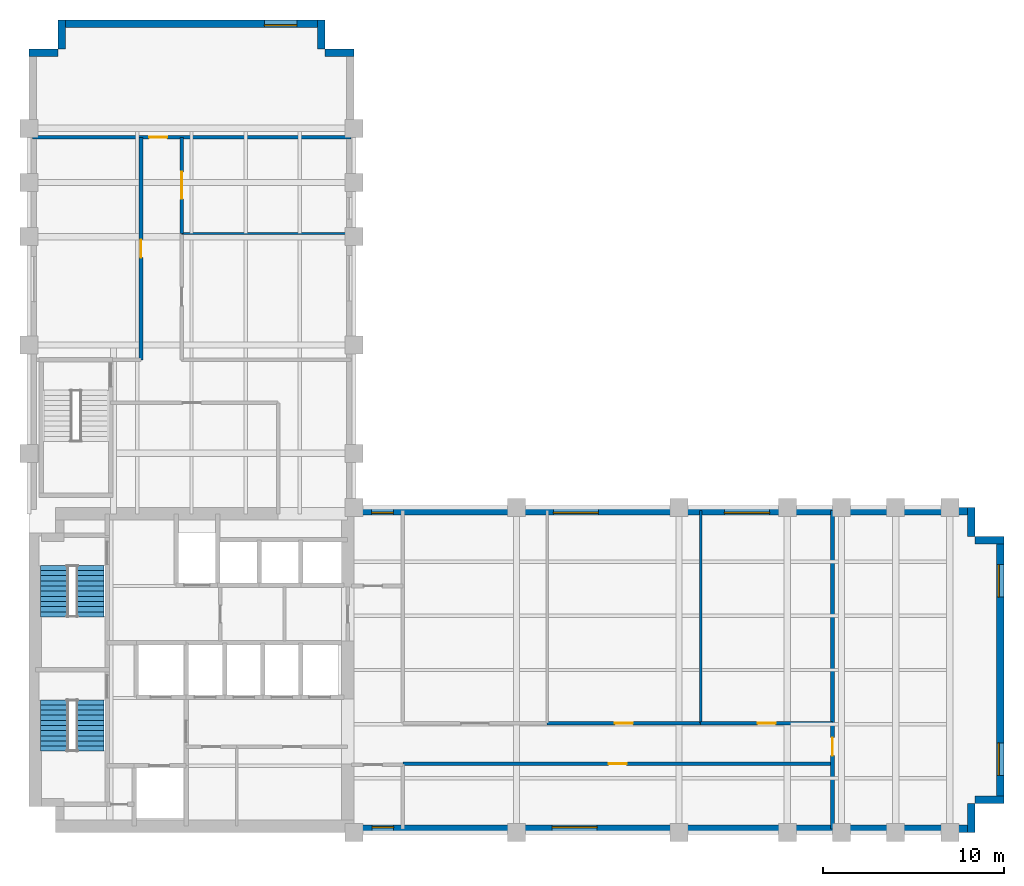
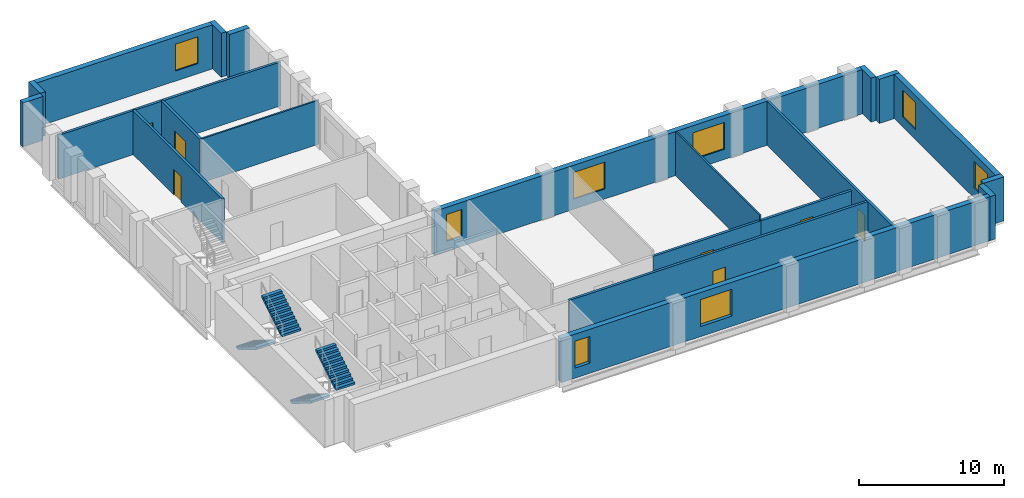
# One storey, part 5 of 7: 21 walls, 8 windows, 7 doors, 4 stair flights, 15 openings, 2 elements without a shape of their own.
"""IFC4 building model written with IfcOpenShell, lengths in metres."""

import ifcopenshell
import ifcopenshell.guid

model = None  # the IFC model being written
_history = None  # IfcOwnerHistory: only IFC2X3 demands one
_inside = {}  # id of a spatial element -> (the spatial element, [elements in it])
_under = {}  # id of a project, library or spatial element -> (it, [spatial elements below it])
_declared = {}  # id of a project -> (the project, [libraries it declares])
_typed = {}  # id of a type object -> (the type object, [elements of that type])
_made_of = {}  # id of a material, layer set ... -> (it, [elements and type objects made of it])


def new_model(schema):
    """Start an empty IFC model of exactly this schema.

    Asked for "IFC4X3", IfcOpenShell would pick the latest addendum, in which some entities
    have other attributes; the version numbers below select the first issue.
    IFC2X3 requires an IfcOwnerHistory on every rooted entity: one is made here for all.
    """
    global model, _history
    if schema == "IFC4X3":
        model = ifcopenshell.file(schema_version=(4, 3, 0, 0))
    else:
        model = ifcopenshell.file(schema=schema)
    _inside.clear()
    _under.clear()
    _declared.clear()
    _typed.clear()
    _made_of.clear()
    _history = None
    if model.schema == "IFC2X3":
        org = make("IfcOrganization", Name="unknown")
        user = make(
            "IfcPersonAndOrganization",
            ThePerson=make("IfcPerson", FamilyName="unknown"),
            TheOrganization=org,
        )
        app = make(
            "IfcApplication",
            ApplicationDeveloper=org,
            Version="unknown",
            ApplicationFullName="unknown",
            ApplicationIdentifier="unknown",
        )
        _history = make(
            "IfcOwnerHistory",
            OwningUser=user,
            OwningApplication=app,
            ChangeAction="ADDED",
            CreationDate=0,
        )
    return model


def make(cls, **values):
    """One entity of the class cls with the attributes given. An attribute that is None is left unset."""
    return model.create_entity(
        cls, **{name: value for name, value in values.items() if value is not None}
    )


def rooted(cls, **values):
    """An entity with a GlobalId (a new one), such as an element, a storey or a relation."""
    return make(cls, GlobalId=ifcopenshell.guid.new(), OwnerHistory=_history, **values)


def si_unit(unit_type, name, prefix=None):
    """IfcSIUnit, for example si_unit("LENGTHUNIT", "METRE", prefix="MILLI")."""
    return make("IfcSIUnit", UnitType=unit_type, Prefix=prefix, Name=name)


def assignment(units):
    """IfcUnitAssignment: the units of a project."""
    return None if units is None else make("IfcUnitAssignment", Units=units)


def point(xyz):
    """IfcCartesianPoint."""
    return None if xyz is None else make("IfcCartesianPoint", Coordinates=xyz)


def direction(xyz):
    """IfcDirection."""
    return None if xyz is None else make("IfcDirection", DirectionRatios=xyz)


def frame(location, z_axis=None, x_axis=None):
    """IfcAxis2Placement3D, a coordinate frame: its origin and axes. An axis left out is left unset."""
    return make(
        "IfcAxis2Placement3D",
        Location=point(location),
        Axis=direction(z_axis),
        RefDirection=direction(x_axis),
    )


def frame_2d(location, x_axis=None):
    """IfcAxis2Placement2D, a coordinate frame in the plane: its origin and x axis."""
    return make(
        "IfcAxis2Placement2D", Location=point(location), RefDirection=direction(x_axis)
    )


def origin():
    """The frame at (0, 0, 0) with its axes left unset."""
    return frame((0.0, 0.0, 0.0))


def place(relative_to, where):
    """IfcLocalPlacement: puts the frame where relative to a parent placement (None: the world)."""
    return make(
        "IfcLocalPlacement", PlacementRelTo=relative_to, RelativePlacement=where
    )


def context(
    kind, dimensions, precision=None, world=None, true_north=None, identifier=None
):
    """IfcGeometricRepresentationContext, for example the 3D "Model" context."""
    return make(
        "IfcGeometricRepresentationContext",
        ContextIdentifier=identifier,
        ContextType=kind,
        CoordinateSpaceDimension=dimensions,
        Precision=precision,
        WorldCoordinateSystem=world,
        TrueNorth=true_north,
    )


def subcontext(parent, identifier, kind, view, scale=None):
    """IfcGeometricRepresentationSubContext, for example "Body" below "Model"."""
    return make(
        "IfcGeometricRepresentationSubContext",
        ContextIdentifier=identifier,
        ContextType=kind,
        ParentContext=parent,
        TargetScale=scale,
        TargetView=view,
    )


def project(units=None, contexts=None):
    """IfcProject with its units and contexts."""
    return rooted(
        "IfcProject",
        Name="project",
        RepresentationContexts=contexts,
        UnitsInContext=assignment(units),
    )


def spatial(cls, under=None, at=None, **own):
    """A site, building, storey or space (cls), placed at a placement, below another one or the project."""
    s = rooted(cls, ObjectPlacement=at, **own)
    if under is not None:
        _under.setdefault(under.id(), (under, []))[1].append(s)
    return s


def polyline(points):
    """IfcPolyline through the points."""
    return make("IfcPolyline", Points=[point(p) for p in points])


def profile(cls, at=None, kind="AREA", **sizes):
    """A parametric profile (cls). Its sizes go by their IFC names, for example OverallWidth=200.0."""
    return make(cls, ProfileType=kind, Position=at, **sizes)


def rectangle(**sizes):
    """IfcRectangleProfileDef."""
    return profile("IfcRectangleProfileDef", **sizes)


def outline(outer, holes=None, kind="AREA"):
    """IfcArbitraryClosedProfileDef: a profile drawn as a closed curve; with holes, ...WithVoids."""
    if holes is None:
        return make("IfcArbitraryClosedProfileDef", ProfileType=kind, OuterCurve=outer)
    return make(
        "IfcArbitraryProfileDefWithVoids",
        ProfileType=kind,
        OuterCurve=outer,
        InnerCurves=holes,
    )


def extrude(swept, where, along, depth):
    """IfcExtrudedAreaSolid: the profile swept, set in the frame where, extruded along a direction by depth."""
    return make(
        "IfcExtrudedAreaSolid",
        SweptArea=swept,
        Position=where,
        ExtrudedDirection=direction(along),
        Depth=depth,
    )


def shape(context_of_items, identifier, shape_type, items):
    """IfcShapeRepresentation: the items that make up one representation, for example the "Body"."""
    return make(
        "IfcShapeRepresentation",
        ContextOfItems=context_of_items,
        RepresentationIdentifier=identifier,
        RepresentationType=shape_type,
        Items=items,
    )


def material(Name=None, Category=None):
    """IfcMaterial."""
    return make("IfcMaterial", Name=Name, Category=Category)


def layer(
    of_material, thickness, ventilated=None, Name=None, Category=None, Priority=None
):
    """IfcMaterialLayer: one layer of a wall or slab, of a material (None: an air gap)."""
    return make(
        "IfcMaterialLayer",
        Material=of_material,
        LayerThickness=thickness,
        IsVentilated=ventilated,
        Name=Name,
        Category=Category,
        Priority=Priority,
    )


def layer_set(layers, Name=None):
    """IfcMaterialLayerSet."""
    return make("IfcMaterialLayerSet", MaterialLayers=layers, LayerSetName=Name)


def made_of(thing, what):
    """Note that an element or type object is made of a material, layer set ...; save() writes the relation."""
    if what is not None:
        _made_of.setdefault(what.id(), (what, []))[1].append(thing)
    return thing


def type_object(cls, material=None, **own):
    """A type object (cls), such as IfcWallType, which elements share."""
    return made_of(rooted(cls, **own), material)


def element(
    cls,
    number,
    at=None,
    inside=None,
    cuts=None,
    type_object=None,
    material=None,
    context=None,
    identifier="Body",
    shape_type=None,
    held_by="IfcProductDefinitionShape",
    body=None,
    shapes=None,
    **own,
):
    """One element of the class cls, such as IfcWall. Its Tag is "e" and its number.

    at: its placement. inside: the storey or other place that contains it. cuts: it is an
    opening in that element (IfcRelVoidsElement). A single representation is given by context,
    identifier, shape_type and body (its items); several are given by shapes. held_by: the class
    of the entity that holds the representations. save() writes the other relations.
    """
    e = rooted(cls, Tag="e%d" % number, ObjectPlacement=at, **own)
    if body is not None:
        shapes = [shape(context, identifier, shape_type, body)]
    if shapes is not None:
        e.Representation = make(held_by, Representations=shapes)
    if inside is not None:
        _inside.setdefault(inside.id(), (inside, []))[1].append(e)
    if cuts is not None:
        rooted(
            "IfcRelVoidsElement", RelatingBuildingElement=cuts, RelatedOpeningElement=e
        )
    if type_object is not None:
        _typed.setdefault(type_object.id(), (type_object, []))[1].append(e)
    return made_of(e, material)


def fill(opening, filler):
    """IfcRelFillsElement: the door or window that sits in an opening."""
    return rooted(
        "IfcRelFillsElement",
        RelatingOpeningElement=opening,
        RelatedBuildingElement=filler,
    )


def aggregate(whole, parts):
    """IfcRelAggregates: a whole, such as a stair, and the parts it consists of."""
    return rooted("IfcRelAggregates", RelatingObject=whole, RelatedObjects=parts)


def save(model, path):
    """Write the relations noted so far, then the file.

    IfcRelAggregates (storeys below a building ...), IfcRelContainedInSpatialStructure (elements
    in a storey), IfcRelDefinesByType, IfcRelAssociatesMaterial and IfcRelDeclares: one each for
    every whole, place, type object, material and project.
    """
    for whole, parts in _under.values():
        aggregate(whole, parts)
    for where, things in _inside.values():
        rooted(
            "IfcRelContainedInSpatialStructure",
            RelatedElements=things,
            RelatingStructure=where,
        )
    for kind, things in _typed.values():
        rooted("IfcRelDefinesByType", RelatedObjects=things, RelatingType=kind)
    for what, things in _made_of.values():
        rooted("IfcRelAssociatesMaterial", RelatedObjects=things, RelatingMaterial=what)
    for by, libraries in _declared.values():
        rooted("IfcRelDeclares", RelatingContext=by, RelatedDefinitions=libraries)
    model.write(path)


model = new_model("IFC4")

# Units and contexts
model_context = context("Model", 3, precision=1e-05, world=origin(), true_north=direction((0.0, 1.0)))
body_context = subcontext(model_context, "Body", "Model", "MODEL_VIEW")
ifc_project = project(units=[si_unit("LENGTHUNIT", "METRE"), si_unit("AREAUNIT", "SQUARE_METRE"), si_unit("VOLUMEUNIT", "CUBIC_METRE"), si_unit("PLANEANGLEUNIT", "RADIAN"), si_unit("MASSUNIT", "GRAM", prefix="KILO")], contexts=[model_context])

# Site, building, storey
site_placement = place(None, origin())
site = spatial("IfcSite", under=ifc_project, at=site_placement, CompositionType="ELEMENT")
building_placement = place(site_placement, origin())
building = spatial("IfcBuilding", under=site, at=building_placement, Name="Mawjdan Bourse Tower", CompositionType="ELEMENT")
storey_placement = place(building_placement, frame((0.0, 0.0, 147.89990234375)))
storey = spatial("IfcBuildingStorey", under=building, at=storey_placement, Name="L35", CompositionType="ELEMENT", Elevation=147.89990234375)

# Wall, openings, windows
ifc_material_1 = material(Name="Brick Masonry Buff", Category="masonry")
ifc_layer_1 = layer(ifc_material_1, 0.419921875)
ifc_layer_set_1 = layer_set([ifc_layer_1], Name="Brick Masonry Buff")
wall_type_1 = type_object("IfcWallType", Name="WL-BRK-BUFF-420", PredefinedType="STANDARD", material=ifc_layer_set_1)
wall_1_placement = place(storey_placement, frame((23.89990234375, 3.2099609375, 0.0), z_axis=(0.0, 0.0, 1.0), x_axis=(1.0, 0.0, 0.0)))
wall_1 = element("IfcWall", 1, at=wall_1_placement, inside=storey, type_object=wall_type_1, Name="L35 Exterior Brick Wall 1", PredefinedType="STANDARD", context=body_context, shape_type="SweptSolid", body=[
    extrude(rectangle(XDim=34.5, YDim=0.419921875, at=frame_2d((17.25, 0.0))), origin(), (0.0, 0.0, 1.0), 3.7001953125),
])
opening_1_placement = place(wall_1_placement, frame((11.0712890625, 0.0, 0.85009765625)))
opening_1 = element("IfcOpeningElement", 2, at=opening_1_placement, cuts=wall_1, Name="Opening W-L35-01", PredefinedType="OPENING", context=body_context, shape_type="SweptSolid", body=[
    extrude(rectangle(XDim=2.5, YDim=2.25, at=frame_2d((1.25, 1.125))), frame((0.0, 0.219970703125, 0.0), z_axis=(0.0, -1.0, 0.0), x_axis=(1.0, 0.0, 0.0)), (0.0, 0.0, 1.0), 0.43994140625),
])
opening_2_placement = place(wall_1_placement, frame((1.10009765625, 0.0, 0.85009765625)))
opening_2 = element("IfcOpeningElement", 3, at=opening_2_placement, cuts=wall_1, Name="Opening W-L35-08", PredefinedType="OPENING", context=body_context, shape_type="SweptSolid", body=[
    extrude(rectangle(XDim=1.199951171875, YDim=2.25, at=frame_2d((0.60009765625, 1.125))), frame((0.0, 0.219970703125, 0.0), z_axis=(0.0, -1.0, 0.0), x_axis=(1.0, 0.0, 0.0)), (0.0, 0.0, 1.0), 0.43994140625),
])
ifc_material_2 = material(Name="Solar-Control Clear Double Glazing", Category="glass")
window_type_1 = type_object("IfcWindowType", Name="WN-Z2-1200", PartitioningType="SINGLE_PANEL", PredefinedType="WINDOW", material=ifc_material_2)
window_1_placement = place(opening_2_placement, origin())
window_1 = element("IfcWindow", 4, at=window_1_placement, inside=storey, type_object=window_type_1, Name="L35 Deep-Set Masonry Window W-L35-08", OverallHeight=2.25, OverallWidth=1.199951171875, PartitioningType="SINGLE_PANEL", PredefinedType="WINDOW", context=body_context, shape_type="SweptSolid", body=[
    extrude(rectangle(XDim=1.199951171875, YDim=2.25, at=frame_2d((0.60009765625, 1.125))), frame((0.0, 0.110107421875, 0.0), z_axis=(0.0, -1.0, 0.0), x_axis=(1.0, 0.0, 0.0)), (0.0, 0.0, 1.0), 0.06005859375),
])
fill(opening_2, window_1)
window_type_2 = type_object("IfcWindowType", Name="WN-Z2-2500", PartitioningType="SINGLE_PANEL", PredefinedType="WINDOW", material=ifc_material_2)
window_2_placement = place(opening_1_placement, origin())
window_2 = element("IfcWindow", 5, at=window_2_placement, inside=storey, type_object=window_type_2, Name="L35 Deep-Set Masonry Window W-L35-01", OverallHeight=2.25, OverallWidth=2.5, PartitioningType="SINGLE_PANEL", PredefinedType="WINDOW", context=body_context, shape_type="SweptSolid", body=[
    extrude(rectangle(XDim=2.5, YDim=2.25, at=frame_2d((1.25, 1.125))), frame((0.0, 0.110107421875, 0.0), z_axis=(0.0, -1.0, 0.0), x_axis=(1.0, 0.0, 0.0)), (0.0, 0.0, 1.0), 0.06005859375),
])
fill(opening_1, window_2)

# Walls
for number, where, z_axis, x_axis, name in (
    (6, (58.18994140625, 3.0, 0.0), (0.0, 0.0, 1.0), (0.0, 1.0, 0.0), "L35 Exterior Brick Wall 2"),
    (7, (58.39990234375, 4.81005859375, 0.0), (0.0, 0.0, 1.0), (1.0, 0.0, 0.0), "L35 Exterior Brick Wall 3"),
):
    element("IfcWall", number, at=place(storey_placement, frame(where, z_axis=z_axis, x_axis=x_axis)), inside=storey, type_object=wall_type_1, Name=name, PredefinedType="STANDARD", context=body_context, shape_type="SweptSolid", body=[
        extrude(rectangle(XDim=1.60009765625, YDim=0.419921875, at=frame_2d((0.800048828125, 0.0))), origin(), (0.0, 0.0, 1.0), 3.7001953125),
    ])

# Wall, openings, windows
wall_2_placement = place(storey_placement, frame((59.7900390625, 4.60009765625, 0.0), z_axis=(0.0, 0.0, 1.0), x_axis=(0.0, 1.0, 0.0)))
wall_2 = element("IfcWall", 8, at=wall_2_placement, inside=storey, type_object=wall_type_1, Name="L35 Exterior Brick Wall 4", PredefinedType="STANDARD", context=body_context, shape_type="SweptSolid", body=[
    extrude(rectangle(XDim=14.7998046875, YDim=0.419921875, at=frame_2d((7.39990234375, 0.0))), origin(), (0.0, 0.0, 1.0), 3.7001953125),
])
opening_3_placement = place(wall_2_placement, frame((1.566650390625, 0.0, 0.85009765625)))
opening_3 = element("IfcOpeningElement", 9, at=opening_3_placement, cuts=wall_2, Name="Opening W-L35-02", PredefinedType="OPENING", context=body_context, shape_type="SweptSolid", body=[
    extrude(rectangle(XDim=1.800048828125, YDim=2.25, at=frame_2d((0.89990234375, 1.125))), frame((0.0, 0.219970703125, 0.0), z_axis=(0.0, -1.0, 0.0), x_axis=(1.0, 0.0, 0.0)), (0.0, 0.0, 1.0), 0.43994140625),
])
opening_4_placement = place(wall_2_placement, frame((11.433349609375, 0.0, 0.85009765625)))
opening_4 = element("IfcOpeningElement", 10, at=opening_4_placement, cuts=wall_2, Name="Opening W-L35-03", PredefinedType="OPENING", context=body_context, shape_type="SweptSolid", body=[
    extrude(rectangle(XDim=1.800048828125, YDim=2.25, at=frame_2d((0.89990234375, 1.125))), frame((0.0, 0.219970703125, 0.0), z_axis=(0.0, -1.0, 0.0), x_axis=(1.0, 0.0, 0.0)), (0.0, 0.0, 1.0), 0.43994140625),
])
window_type_3 = type_object("IfcWindowType", Name="WN-Z2-1800", PartitioningType="SINGLE_PANEL", PredefinedType="WINDOW", material=ifc_material_2)
window_3_placement = place(opening_3_placement, origin())
window_3 = element("IfcWindow", 11, at=window_3_placement, inside=storey, type_object=window_type_3, Name="L35 Deep-Set Masonry Window W-L35-02", OverallHeight=2.25, OverallWidth=1.800048828125, PartitioningType="SINGLE_PANEL", PredefinedType="WINDOW", context=body_context, shape_type="SweptSolid", body=[
    extrude(rectangle(XDim=1.800048828125, YDim=2.25, at=frame_2d((0.89990234375, 1.125))), frame((0.0, 0.110107421875, 0.0), z_axis=(0.0, -1.0, 0.0), x_axis=(1.0, 0.0, 0.0)), (0.0, 0.0, 1.0), 0.06005859375),
])
fill(opening_3, window_3)
window_4_placement = place(opening_4_placement, origin())
window_4 = element("IfcWindow", 12, at=window_4_placement, inside=storey, type_object=window_type_3, Name="L35 Deep-Set Masonry Window W-L35-03", OverallHeight=2.25, OverallWidth=1.800048828125, PartitioningType="SINGLE_PANEL", PredefinedType="WINDOW", context=body_context, shape_type="SweptSolid", body=[
    extrude(rectangle(XDim=1.800048828125, YDim=2.25, at=frame_2d((0.89990234375, 1.125))), frame((0.0, 0.110107421875, 0.0), z_axis=(0.0, -1.0, 0.0), x_axis=(1.0, 0.0, 0.0)), (0.0, 0.0, 1.0), 0.06005859375),
])
fill(opening_4, window_4)

# Walls
for number, where, z_axis, x_axis, name in (
    (13, (60.0, 19.18994140625, 0.0), (0.0, 0.0, 1.0), (-1.0, 0.0, 0.0), "L35 Exterior Brick Wall 5"),
    (14, (58.18994140625, 19.39990234375, 0.0), (0.0, 0.0, 1.0), (0.0, 1.0, 0.0), "L35 Exterior Brick Wall 6"),
):
    element("IfcWall", number, at=place(storey_placement, frame(where, z_axis=z_axis, x_axis=x_axis)), inside=storey, type_object=wall_type_1, Name=name, PredefinedType="STANDARD", context=body_context, shape_type="SweptSolid", body=[
        extrude(rectangle(XDim=1.60009765625, YDim=0.419921875, at=frame_2d((0.800048828125, 0.0))), origin(), (0.0, 0.0, 1.0), 3.7001953125),
    ])

# Wall, openings, windows
wall_3_placement = place(storey_placement, frame((58.39990234375, 20.7900390625, 0.0), z_axis=(0.0, 0.0, 1.0), x_axis=(-1.0, 0.0, 0.0)))
wall_3 = element("IfcWall", 15, at=wall_3_placement, inside=storey, type_object=wall_type_1, Name="L35 Exterior Brick Wall 7", PredefinedType="STANDARD", context=body_context, shape_type="SweptSolid", body=[
    extrude(rectangle(XDim=34.39990234375, YDim=0.419921875, at=frame_2d((17.199951171875, 0.0))), origin(), (0.0, 0.0, 1.0), 3.7001953125),
])
opening_5_placement = place(wall_3_placement, frame((20.8642578125, 0.0, 0.85009765625)))
opening_5 = element("IfcOpeningElement", 16, at=opening_5_placement, cuts=wall_3, Name="Opening W-L35-04", PredefinedType="OPENING", context=body_context, shape_type="SweptSolid", body=[
    extrude(rectangle(XDim=2.5, YDim=2.25, at=frame_2d((1.25, 1.125))), frame((0.0, 0.219970703125, 0.0), z_axis=(0.0, -1.0, 0.0), x_axis=(1.0, 0.0, 0.0)), (0.0, 0.0, 1.0), 0.43994140625),
])
opening_6_placement = place(wall_3_placement, frame((32.22216796875, 0.0, 0.85009765625)))
opening_6 = element("IfcOpeningElement", 17, at=opening_6_placement, cuts=wall_3, Name="Opening W-L35-09", PredefinedType="OPENING", context=body_context, shape_type="SweptSolid", body=[
    extrude(rectangle(XDim=1.199951171875, YDim=2.25, at=frame_2d((0.60009765625, 1.125))), frame((0.0, 0.219970703125, 0.0), z_axis=(0.0, -1.0, 0.0), x_axis=(1.0, 0.0, 0.0)), (0.0, 0.0, 1.0), 0.43994140625),
])
opening_7_placement = place(wall_3_placement, frame((11.38623046875, 0.0, 0.85009765625)))
opening_7 = element("IfcOpeningElement", 18, at=opening_7_placement, cuts=wall_3, Name="Opening W-L35-10", PredefinedType="OPENING", context=body_context, shape_type="SweptSolid", body=[
    extrude(rectangle(XDim=2.5, YDim=2.25, at=frame_2d((1.25, 1.125))), frame((0.0, 0.219970703125, 0.0), z_axis=(0.0, -1.0, 0.0), x_axis=(1.0, 0.0, 0.0)), (0.0, 0.0, 1.0), 0.43994140625),
])
window_5_placement = place(opening_6_placement, origin())
window_5 = element("IfcWindow", 19, at=window_5_placement, inside=storey, type_object=window_type_1, Name="L35 Deep-Set Masonry Window W-L35-09", OverallHeight=2.25, OverallWidth=1.199951171875, PartitioningType="SINGLE_PANEL", PredefinedType="WINDOW", context=body_context, shape_type="SweptSolid", body=[
    extrude(rectangle(XDim=1.199951171875, YDim=2.25, at=frame_2d((0.60009765625, 1.125))), frame((0.0, 0.110107421875, 0.0), z_axis=(0.0, -1.0, 0.0), x_axis=(1.0, 0.0, 0.0)), (0.0, 0.0, 1.0), 0.06005859375),
])
fill(opening_6, window_5)
window_6_placement = place(opening_5_placement, origin())
window_6 = element("IfcWindow", 20, at=window_6_placement, inside=storey, type_object=window_type_2, Name="L35 Deep-Set Masonry Window W-L35-04", OverallHeight=2.25, OverallWidth=2.5, PartitioningType="SINGLE_PANEL", PredefinedType="WINDOW", context=body_context, shape_type="SweptSolid", body=[
    extrude(rectangle(XDim=2.5, YDim=2.25, at=frame_2d((1.25, 1.125))), frame((0.0, 0.110107421875, 0.0), z_axis=(0.0, -1.0, 0.0), x_axis=(1.0, 0.0, 0.0)), (0.0, 0.0, 1.0), 0.06005859375),
])
fill(opening_5, window_6)
window_7_placement = place(opening_7_placement, origin())
window_7 = element("IfcWindow", 21, at=window_7_placement, inside=storey, type_object=window_type_2, Name="L35 Deep-Set Masonry Window W-L35-10", OverallHeight=2.25, OverallWidth=2.5, PartitioningType="SINGLE_PANEL", PredefinedType="WINDOW", context=body_context, shape_type="SweptSolid", body=[
    extrude(rectangle(XDim=2.5, YDim=2.25, at=frame_2d((1.25, 1.125))), frame((0.0, 0.110107421875, 0.0), z_axis=(0.0, -1.0, 0.0), x_axis=(1.0, 0.0, 0.0)), (0.0, 0.0, 1.0), 0.06005859375),
])
fill(opening_7, window_7)

# Walls
for number, where, z_axis, x_axis, name in (
    (22, (24.0, 46.18994140625, 0.0), (0.0, 0.0, 1.0), (-1.0, 0.0, 0.0), "L35 Exterior Brick Wall 9"),
    (23, (22.18994140625, 46.39990234375, 0.0), (0.0, 0.0, 1.0), (0.0, 1.0, 0.0), "L35 Exterior Brick Wall 10"),
):
    element("IfcWall", number, at=place(storey_placement, frame(where, z_axis=z_axis, x_axis=x_axis)), inside=storey, type_object=wall_type_1, Name=name, PredefinedType="STANDARD", context=body_context, shape_type="SweptSolid", body=[
        extrude(rectangle(XDim=1.60009765625, YDim=0.419921875, at=frame_2d((0.800048828125, 0.0))), origin(), (0.0, 0.0, 1.0), 3.7001953125),
    ])

# Wall, opening, window
wall_4_placement = place(storey_placement, frame((22.39990234375, 47.7900390625, 0.0), z_axis=(0.0, 0.0, 1.0), x_axis=(-1.0, 0.0, 0.0)))
wall_4 = element("IfcWall", 24, at=wall_4_placement, inside=storey, type_object=wall_type_1, Name="L35 Exterior Brick Wall 11", PredefinedType="STANDARD", context=body_context, shape_type="SweptSolid", body=[
    extrude(rectangle(XDim=14.7998046875, YDim=0.419921875, at=frame_2d((7.39990234375, 0.0))), origin(), (0.0, 0.0, 1.0), 3.7001953125),
])
opening_8_placement = place(wall_4_placement, frame((1.566650390625, 0.0, 0.85009765625)))
opening_8 = element("IfcOpeningElement", 25, at=opening_8_placement, cuts=wall_4, Name="Opening W-L35-06", PredefinedType="OPENING", context=body_context, shape_type="SweptSolid", body=[
    extrude(rectangle(XDim=1.800048828125, YDim=2.25, at=frame_2d((0.89990234375, 1.125))), frame((0.0, 0.219970703125, 0.0), z_axis=(0.0, -1.0, 0.0), x_axis=(1.0, 0.0, 0.0)), (0.0, 0.0, 1.0), 0.43994140625),
])
window_8_placement = place(opening_8_placement, origin())
window_8 = element("IfcWindow", 26, at=window_8_placement, inside=storey, type_object=window_type_3, Name="L35 Deep-Set Masonry Window W-L35-06", OverallHeight=2.25, OverallWidth=1.800048828125, PartitioningType="SINGLE_PANEL", PredefinedType="WINDOW", context=body_context, shape_type="SweptSolid", body=[
    extrude(rectangle(XDim=1.800048828125, YDim=2.25, at=frame_2d((0.89990234375, 1.125))), frame((0.0, 0.110107421875, 0.0), z_axis=(0.0, -1.0, 0.0), x_axis=(1.0, 0.0, 0.0)), (0.0, 0.0, 1.0), 0.06005859375),
])
fill(opening_8, window_8)

# Walls
for number, where, z_axis, x_axis, name in (
    (27, (7.81005859375, 48.0, 0.0), (0.0, 0.0, 1.0), (0.0, -1.0, 0.0), "L35 Exterior Brick Wall 12"),
    (28, (7.60009765625, 46.18994140625, 0.0), (0.0, 0.0, 1.0), (-1.0, 0.0, 0.0), "L35 Exterior Brick Wall 13"),
):
    element("IfcWall", number, at=place(storey_placement, frame(where, z_axis=z_axis, x_axis=x_axis)), inside=storey, type_object=wall_type_1, Name=name, PredefinedType="STANDARD", context=body_context, shape_type="SweptSolid", body=[
        extrude(rectangle(XDim=1.60009765625, YDim=0.419921875, at=frame_2d((0.800048828125, 0.0))), origin(), (0.0, 0.0, 1.0), 3.7001953125),
    ])

# Wall, opening, door
ifc_material_3 = material(Name="Gypsum Fireboard Assembly")
ifc_layer_2 = layer(ifc_material_3, 0.199951171875)
ifc_layer_set_2 = layer_set([ifc_layer_2], Name="Gypsum Fireboard Assembly")
wall_type_2 = type_object("IfcWallType", Name="WL-CMP-200", PredefinedType="PARTITIONING", material=ifc_layer_set_2)
wall_5_placement = place(storey_placement, frame((26.699951171875, 6.800048828125, 0.0), z_axis=(0.0, 0.0, 1.0), x_axis=(1.0, 0.0, 0.0)))
wall_5 = element("IfcWall", 29, at=wall_5_placement, inside=storey, type_object=wall_type_2, Name="L35 Equities Research Library Corridor Wall", PredefinedType="PARTITIONING", context=body_context, shape_type="SweptSolid", body=[
    extrude(rectangle(XDim=23.800048828125, YDim=0.199951171875, at=frame_2d((11.89990234375, 0.0))), origin(), (0.0, 0.0, 1.0), 3.690185546875),
])
opening_9_placement = place(wall_5_placement, frame((11.39990234375, 0.0, 0.0)))
opening_9 = element("IfcOpeningElement", 30, at=opening_9_placement, cuts=wall_5, Name="Opening D-L35-21", PredefinedType="OPENING", context=body_context, shape_type="SweptSolid", body=[
    extrude(rectangle(XDim=1.0, YDim=2.14990234375, at=frame_2d((0.5, 1.074951171875))), frame((0.0, 0.10986328125, 0.0), z_axis=(0.0, -1.0, 0.0), x_axis=(1.0, 0.0, 0.0)), (0.0, 0.0, 1.0), 0.219970703125),
])
ifc_material_4 = material(Name="Hardwood Acoustic Leaf", Category="wood")
door_type_1 = type_object("IfcDoorType", Name="DR-OFC-1000", OperationType="NOTDEFINED", PredefinedType="DOOR", material=ifc_material_4)
door_1_placement = place(opening_9_placement, origin())
door_1 = element("IfcDoor", 31, at=door_1_placement, inside=storey, type_object=door_type_1, Name="L35 Equities Research Library Door D-L35-21", OperationType="SINGLE_SWING_LEFT", OverallHeight=2.14990234375, OverallWidth=1.0, PredefinedType="DOOR", context=body_context, shape_type="SweptSolid", body=[
    extrude(rectangle(XDim=1.0, YDim=2.14990234375, at=frame_2d((0.5, 1.074951171875))), frame((0.0, 0.02490234375, 0.0), z_axis=(0.0, -1.0, 0.0), x_axis=(1.0, 0.0, 0.0)), (0.0, 0.0, 1.0), 0.050048828125),
])
fill(opening_9, door_1)

wall_6_placement = place(storey_placement, frame((34.699951171875, 9.050048828125, 0.0), z_axis=(0.0, 0.0, 1.0), x_axis=(1.0, 0.0, 0.0)))
wall_6 = element("IfcWall", 32, at=wall_6_placement, inside=storey, type_object=wall_type_2, Name="L35 Executive Office Corridor Wall", PredefinedType="PARTITIONING", context=body_context, shape_type="SweptSolid", body=[
    extrude(rectangle(XDim=8.5, YDim=0.199951171875, at=frame_2d((4.25, 0.0))), origin(), (0.0, 0.0, 1.0), 3.233154296875),
])
opening_10_placement = place(wall_6_placement, frame((3.75, 0.0, 0.0)))
opening_10 = element("IfcOpeningElement", 33, at=opening_10_placement, cuts=wall_6, Name="Opening D-L35-23", PredefinedType="OPENING", context=body_context, shape_type="SweptSolid", body=[
    extrude(rectangle(XDim=1.0, YDim=2.14990234375, at=frame_2d((0.5, 1.074951171875))), frame((0.0, 0.10986328125, 0.0), z_axis=(0.0, -1.0, 0.0), x_axis=(1.0, 0.0, 0.0)), (0.0, 0.0, 1.0), 0.219970703125),
])
door_2_placement = place(opening_10_placement, origin())
door_2 = element("IfcDoor", 34, at=door_2_placement, inside=storey, type_object=door_type_1, Name="L35 Executive Office Door D-L35-23", OperationType="SINGLE_SWING_RIGHT", OverallHeight=2.14990234375, OverallWidth=1.0, PredefinedType="DOOR", context=body_context, shape_type="SweptSolid", body=[
    extrude(rectangle(XDim=1.0, YDim=2.14990234375, at=frame_2d((0.5, 1.074951171875))), frame((0.0, 0.02490234375, 0.0), z_axis=(0.0, -1.0, 0.0), x_axis=(1.0, 0.0, 0.0)), (0.0, 0.0, 1.0), 0.050048828125),
])
fill(opening_10, door_2)

wall_7_placement = place(storey_placement, frame((43.199951171875, 9.050048828125, 0.0), z_axis=(0.0, 0.0, 1.0), x_axis=(1.0, 0.0, 0.0)))
wall_7 = element("IfcWall", 35, at=wall_7_placement, inside=storey, type_object=wall_type_2, Name="L35 Client Advisory Suite Corridor Wall", PredefinedType="PARTITIONING", context=body_context, shape_type="SweptSolid", body=[
    extrude(rectangle(XDim=7.300048828125, YDim=0.199951171875, at=frame_2d((3.64990234375, 0.0))), origin(), (0.0, 0.0, 1.0), 3.233154296875),
])
opening_11_placement = place(wall_7_placement, frame((3.14990234375, 0.0, 0.0)))
opening_11 = element("IfcOpeningElement", 36, at=opening_11_placement, cuts=wall_7, Name="Opening D-L35-24", PredefinedType="OPENING", context=body_context, shape_type="SweptSolid", body=[
    extrude(rectangle(XDim=1.0, YDim=2.14990234375, at=frame_2d((0.5, 1.074951171875))), frame((0.0, 0.10986328125, 0.0), z_axis=(0.0, -1.0, 0.0), x_axis=(1.0, 0.0, 0.0)), (0.0, 0.0, 1.0), 0.219970703125),
])
door_3_placement = place(opening_11_placement, origin())
door_3 = element("IfcDoor", 37, at=door_3_placement, inside=storey, type_object=door_type_1, Name="L35 Client Advisory Suite Door D-L35-24", OperationType="SINGLE_SWING_LEFT", OverallHeight=2.14990234375, OverallWidth=1.0, PredefinedType="DOOR", context=body_context, shape_type="SweptSolid", body=[
    extrude(rectangle(XDim=1.0, YDim=2.14990234375, at=frame_2d((0.5, 1.074951171875))), frame((0.0, 0.02490234375, 0.0), z_axis=(0.0, -1.0, 0.0), x_axis=(1.0, 0.0, 0.0)), (0.0, 0.0, 1.0), 0.050048828125),
])
fill(opening_11, door_3)

wall_8_placement = place(storey_placement, frame((50.5, 3.179931640625, 0.0), z_axis=(0.0, 0.0, 1.0), x_axis=(0.0, 1.0, 0.0)))
wall_8 = element("IfcWall", 38, at=wall_8_placement, inside=storey, type_object=wall_type_2, Name="L35 East Tip Full Cross Wall", PredefinedType="PARTITIONING", context=body_context, shape_type="SweptSolid", body=[
    extrude(rectangle(XDim=17.64013671875, YDim=0.199951171875, at=frame_2d((8.820068359375, 0.0))), origin(), (0.0, 0.0, 1.0), 3.690185546875),
])
opening_12_placement = place(wall_8_placement, frame((4.074951171875, 0.0, 0.0)))
opening_12 = element("IfcOpeningElement", 39, at=opening_12_placement, cuts=wall_8, Name="Opening D-L35-25", PredefinedType="OPENING", context=body_context, shape_type="SweptSolid", body=[
    extrude(rectangle(XDim=1.0, YDim=2.14990234375, at=frame_2d((0.5, 1.074951171875))), frame((0.0, 0.10986328125, 0.0), z_axis=(0.0, -1.0, 0.0), x_axis=(1.0, 0.0, 0.0)), (0.0, 0.0, 1.0), 0.219970703125),
])
door_4_placement = place(opening_12_placement, origin())
door_4 = element("IfcDoor", 40, at=door_4_placement, inside=storey, type_object=door_type_1, Name="L35 East Tip Hall Door D-L35-25", OperationType="SINGLE_SWING_RIGHT", OverallHeight=2.14990234375, OverallWidth=1.0, PredefinedType="DOOR", context=body_context, shape_type="SweptSolid", body=[
    extrude(rectangle(XDim=1.0, YDim=2.14990234375, at=frame_2d((0.5, 1.074951171875))), frame((0.0, 0.02490234375, 0.0), z_axis=(0.0, -1.0, 0.0), x_axis=(1.0, 0.0, 0.0)), (0.0, 0.0, 1.0), 0.050048828125),
])
fill(opening_12, door_4)

wall_9_placement = place(storey_placement, frame((12.199951171875, 29.179931640625, 0.0), z_axis=(0.0, 0.0, 1.0), x_axis=(0.0, 1.0, 0.0)))
wall_9 = element("IfcWall", 41, at=wall_9_placement, inside=storey, type_object=wall_type_2, Name="L35 Investor Relations Office Corridor Wall", PredefinedType="PARTITIONING", context=body_context, shape_type="SweptSolid", body=[
    extrude(rectangle(XDim=12.320068359375, YDim=0.199951171875, at=frame_2d((6.16015625, 0.0))), origin(), (0.0, 0.0, 1.0), 3.690185546875),
])
opening_13_placement = place(wall_9_placement, frame((5.659912109375, 0.0, 0.0)))
opening_13 = element("IfcOpeningElement", 42, at=opening_13_placement, cuts=wall_9, Name="Opening D-L35-27", PredefinedType="OPENING", context=body_context, shape_type="SweptSolid", body=[
    extrude(rectangle(XDim=1.0, YDim=2.14990234375, at=frame_2d((0.5, 1.074951171875))), frame((0.0, 0.10986328125, 0.0), z_axis=(0.0, -1.0, 0.0), x_axis=(1.0, 0.0, 0.0)), (0.0, 0.0, 1.0), 0.219970703125),
])
door_5_placement = place(opening_13_placement, origin())
door_5 = element("IfcDoor", 43, at=door_5_placement, inside=storey, type_object=door_type_1, Name="L35 Investor Relations Office Door D-L35-27", OperationType="SINGLE_SWING_RIGHT", OverallHeight=2.14990234375, OverallWidth=1.0, PredefinedType="DOOR", context=body_context, shape_type="SweptSolid", body=[
    extrude(rectangle(XDim=1.0, YDim=2.14990234375, at=frame_2d((0.5, 1.074951171875))), frame((0.0, 0.02490234375, 0.0), z_axis=(0.0, -1.0, 0.0), x_axis=(1.0, 0.0, 0.0)), (0.0, 0.0, 1.0), 0.050048828125),
])
fill(opening_13, door_5)

wall_10_placement = place(storey_placement, frame((14.449951171875, 36.179931640625, 0.0), z_axis=(0.0, 0.0, 1.0), x_axis=(0.0, 1.0, 0.0)))
wall_10 = element("IfcWall", 44, at=wall_10_placement, inside=storey, type_object=wall_type_2, Name="L35 Client Advisory Suite Corridor Wall", PredefinedType="PARTITIONING", context=body_context, shape_type="SweptSolid", body=[
    extrude(rectangle(XDim=5.320068359375, YDim=0.199951171875, at=frame_2d((2.66015625, 0.0))), origin(), (0.0, 0.0, 1.0), 3.690185546875),
])
opening_14_placement = place(wall_10_placement, frame((1.909912109375, 0.0, 0.0)))
opening_14 = element("IfcOpeningElement", 45, at=opening_14_placement, cuts=wall_10, Name="Opening D-L35-29", PredefinedType="OPENING", context=body_context, shape_type="SweptSolid", body=[
    extrude(rectangle(XDim=1.5, YDim=2.300048828125, at=frame_2d((0.75, 1.14990234375))), frame((0.0, 0.10986328125, 0.0), z_axis=(0.0, -1.0, 0.0), x_axis=(1.0, 0.0, 0.0)), (0.0, 0.0, 1.0), 0.219970703125),
])
ifc_material_5 = material(Name="Acoustic Glazed Timber", Category="wood")
door_type_2 = type_object("IfcDoorType", Name="DR-CNF-1500", OperationType="DOUBLE_DOOR_SINGLE_SWING", PredefinedType="DOOR", material=ifc_material_5)
door_6_placement = place(opening_14_placement, origin())
door_6 = element("IfcDoor", 46, at=door_6_placement, inside=storey, type_object=door_type_2, Name="L35 Client Advisory Suite Door D-L35-29", OperationType="DOUBLE_DOOR_SINGLE_SWING", OverallHeight=2.300048828125, OverallWidth=1.5, PredefinedType="DOOR", context=body_context, shape_type="SweptSolid", body=[
    extrude(rectangle(XDim=1.5, YDim=2.300048828125, at=frame_2d((0.75, 1.14990234375))), frame((0.0, 0.02490234375, 0.0), z_axis=(0.0, -1.0, 0.0), x_axis=(1.0, 0.0, 0.0)), (0.0, 0.0, 1.0), 0.050048828125),
])
fill(opening_14, door_6)

wall_11_placement = place(storey_placement, frame((6.179931640625, 41.5, 0.0), z_axis=(0.0, 0.0, 1.0), x_axis=(1.0, 0.0, 0.0)))
wall_11 = element("IfcWall", 47, at=wall_11_placement, inside=storey, type_object=wall_type_2, Name="L35 North Tip Full Cross Wall", PredefinedType="PARTITIONING", context=body_context, shape_type="SweptSolid", body=[
    extrude(rectangle(XDim=17.64013671875, YDim=0.199951171875, at=frame_2d((8.820068359375, 0.0))), origin(), (0.0, 0.0, 1.0), 3.690185546875),
])
opening_15_placement = place(wall_11_placement, frame((6.47509765625, 0.0, 0.0)))
opening_15 = element("IfcOpeningElement", 48, at=opening_15_placement, cuts=wall_11, Name="Opening D-L35-30", PredefinedType="OPENING", context=body_context, shape_type="SweptSolid", body=[
    extrude(rectangle(XDim=1.0, YDim=2.14990234375, at=frame_2d((0.5, 1.074951171875))), frame((0.0, 0.10986328125, 0.0), z_axis=(0.0, -1.0, 0.0), x_axis=(1.0, 0.0, 0.0)), (0.0, 0.0, 1.0), 0.219970703125),
])
door_7_placement = place(opening_15_placement, origin())
door_7 = element("IfcDoor", 49, at=door_7_placement, inside=storey, type_object=door_type_1, Name="L35 North Tip Suite Door D-L35-30", OperationType="SINGLE_SWING_RIGHT", OverallHeight=2.14990234375, OverallWidth=1.0, PredefinedType="DOOR", context=body_context, shape_type="SweptSolid", body=[
    extrude(rectangle(XDim=1.0, YDim=2.14990234375, at=frame_2d((0.5, 1.074951171875))), frame((0.0, 0.02490234375, 0.0), z_axis=(0.0, -1.0, 0.0), x_axis=(1.0, 0.0, 0.0)), (0.0, 0.0, 1.0), 0.050048828125),
])
fill(opening_15, door_7)

# Walls
ifc_material_6 = material(Name="Gypsum Partition")
ifc_layer_3 = layer(ifc_material_6, 0.125)
ifc_layer_set_3 = layer_set([ifc_layer_3], Name="Gypsum Partition")
wall_type_3 = type_object("IfcWallType", Name="WL-PRT-125", PredefinedType="PARTITIONING", material=ifc_layer_set_3)
wall_12_placement = place(storey_placement, frame((43.199951171875, 9.050048828125, 0.0), z_axis=(0.0, 0.0, 1.0), x_axis=(0.0, 1.0, 0.0)))
element("IfcWall", 50, at=wall_12_placement, inside=storey, type_object=wall_type_3, Name="L35 Client Advisory Suite Partition", PredefinedType="PARTITIONING", context=body_context, shape_type="SweptSolid", body=[
    extrude(rectangle(XDim=11.77001953125, YDim=0.125, at=frame_2d((5.885009765625, 0.0))), origin(), (0.0, 0.0, 1.0), 3.690185546875),
])
wall_13_placement = place(storey_placement, frame((14.449951171875, 36.179931640625, 0.0), z_axis=(0.0, 0.0, 1.0), x_axis=(1.0, 0.0, 0.0)))
element("IfcWall", 51, at=wall_13_placement, inside=storey, type_object=wall_type_3, Name="L35 Client Advisory Suite Partition", PredefinedType="PARTITIONING", context=body_context, shape_type="SweptSolid", body=[
    extrude(rectangle(XDim=9.3701171875, YDim=0.125, at=frame_2d((4.68505859375, 0.0))), origin(), (0.0, 0.0, 1.0), 3.690185546875),
])

# Stair, stair flights
ifc_material_7 = material(Name="Concrete C50/60", Category="concrete")
stair_type = type_object("IfcStairType", Name="STR-CORE-1500", PredefinedType="HALF_TURN_STAIR", material=ifc_material_7)
stair_1_placement = place(storey_placement, origin())
stair_1 = element("IfcStair", 52, at=stair_1_placement, inside=storey, type_object=stair_type, Name="L35 Exit Stair 1 (Core South-West)", PredefinedType="HALF_TURN_STAIR")
stair_flight_type = type_object("IfcStairFlightType", Name="SFL-RC-1500", PredefinedType="STRAIGHT", material=ifc_material_7)
stair_flight_1_placement = place(storey_placement, frame((7.389892578125, 10.35009765625, 0.0), z_axis=(0.0, 0.0, 1.0), x_axis=(0.0, -1.0, 0.0)))
stair_flight_1 = element("IfcStairFlight", 53, at=stair_flight_1_placement, type_object=stair_flight_type, Name="ST1-L35 flight 1", NumberOfRisers=11, NumberOfTreads=10, PredefinedType="STRAIGHT", RiserHeight=0.177273, TreadLength=0.285, context=body_context, shape_type="SweptSolid", body=[
    extrude(outline(polyline([(0.0, 0.0), (0.0, 0.17724609375), (0.284912109375, 0.17724609375), (0.284912109375, 0.3544921875), (0.570068359375, 0.3544921875), (0.570068359375, 0.53173828125), (0.85498046875, 0.53173828125), (0.85498046875, 0.708984375), (1.139892578125, 0.708984375), (1.139892578125, 0.886474609375), (1.425048828125, 0.886474609375), (1.425048828125, 1.063720703125), (1.7099609375, 1.063720703125), (1.7099609375, 1.240966796875), (1.9951171875, 1.240966796875), (1.9951171875, 1.418212890625), (2.280029296875, 1.418212890625), (2.280029296875, 1.595458984375), (2.56494140625, 1.595458984375), (2.56494140625, 1.772705078125), (2.85009765625, 1.772705078125), (2.85009765625, 1.949951171875), (2.85009765625, 1.58447265625), (0.302734375, 0.0), (0.0, 0.0)])), frame((0.0, 0.75, 0.0), z_axis=(0.0, -1.0, 0.0), x_axis=(1.0, 0.0, 0.0)), (0.0, 0.0, 1.0), 1.5),
])
stair_flight_2_placement = place(storey_placement, frame((9.409912109375, 7.5, 1.9501953125), z_axis=(0.0, 0.0, 1.0), x_axis=(0.0, 1.0, 0.0)))
stair_flight_2 = element("IfcStairFlight", 54, at=stair_flight_2_placement, type_object=stair_flight_type, Name="ST1-L35 flight 2", NumberOfRisers=11, NumberOfTreads=10, PredefinedType="STRAIGHT", RiserHeight=0.177273, TreadLength=0.285, context=body_context, shape_type="SweptSolid", body=[
    extrude(outline(polyline([(0.0, 0.0), (0.0, 0.17724609375), (0.284912109375, 0.17724609375), (0.284912109375, 0.3544921875), (0.570068359375, 0.3544921875), (0.570068359375, 0.53173828125), (0.85498046875, 0.53173828125), (0.85498046875, 0.708984375), (1.139892578125, 0.708984375), (1.139892578125, 0.886474609375), (1.425048828125, 0.886474609375), (1.425048828125, 1.063720703125), (1.7099609375, 1.063720703125), (1.7099609375, 1.240966796875), (1.9951171875, 1.240966796875), (1.9951171875, 1.418212890625), (2.280029296875, 1.418212890625), (2.280029296875, 1.595458984375), (2.56494140625, 1.595458984375), (2.56494140625, 1.772705078125), (2.85009765625, 1.772705078125), (2.85009765625, 1.949951171875), (2.85009765625, 1.58447265625), (0.302734375, 0.0), (0.0, 0.0)])), frame((0.0, 0.75, 0.0), z_axis=(0.0, -1.0, 0.0), x_axis=(1.0, 0.0, 0.0)), (0.0, 0.0, 1.0), 1.5),
])
aggregate(stair_1, [stair_flight_1, stair_flight_2])

stair_2_placement = place(storey_placement, origin())
stair_2 = element("IfcStair", 55, at=stair_2_placement, inside=storey, type_object=stair_type, Name="L35 Exit Stair 2 (Core North-West)", PredefinedType="HALF_TURN_STAIR")
stair_flight_3_placement = place(storey_placement, frame((7.389892578125, 17.7900390625, 0.0), z_axis=(0.0, 0.0, 1.0), x_axis=(0.0, -1.0, 0.0)))
stair_flight_3 = element("IfcStairFlight", 56, at=stair_flight_3_placement, type_object=stair_flight_type, Name="ST2-L35 flight 1", NumberOfRisers=11, NumberOfTreads=10, PredefinedType="STRAIGHT", RiserHeight=0.177273, TreadLength=0.285, context=body_context, shape_type="SweptSolid", body=[
    extrude(outline(polyline([(0.0, 0.0), (0.0, 0.17724609375), (0.284912109375, 0.17724609375), (0.284912109375, 0.3544921875), (0.570068359375, 0.3544921875), (0.570068359375, 0.53173828125), (0.85498046875, 0.53173828125), (0.85498046875, 0.708984375), (1.139892578125, 0.708984375), (1.139892578125, 0.886474609375), (1.425048828125, 0.886474609375), (1.425048828125, 1.063720703125), (1.7099609375, 1.063720703125), (1.7099609375, 1.240966796875), (1.9951171875, 1.240966796875), (1.9951171875, 1.418212890625), (2.280029296875, 1.418212890625), (2.280029296875, 1.595458984375), (2.56494140625, 1.595458984375), (2.56494140625, 1.772705078125), (2.85009765625, 1.772705078125), (2.85009765625, 1.949951171875), (2.85009765625, 1.58447265625), (0.302734375, 0.0), (0.0, 0.0)])), frame((0.0, 0.75, 0.0), z_axis=(0.0, -1.0, 0.0), x_axis=(1.0, 0.0, 0.0)), (0.0, 0.0, 1.0), 1.5),
])
stair_flight_4_placement = place(storey_placement, frame((9.409912109375, 14.93994140625, 1.9501953125), z_axis=(0.0, 0.0, 1.0), x_axis=(0.0, 1.0, 0.0)))
stair_flight_4 = element("IfcStairFlight", 57, at=stair_flight_4_placement, type_object=stair_flight_type, Name="ST2-L35 flight 2", NumberOfRisers=11, NumberOfTreads=10, PredefinedType="STRAIGHT", RiserHeight=0.177273, TreadLength=0.285, context=body_context, shape_type="SweptSolid", body=[
    extrude(outline(polyline([(0.0, 0.0), (0.0, 0.17724609375), (0.284912109375, 0.17724609375), (0.284912109375, 0.3544921875), (0.570068359375, 0.3544921875), (0.570068359375, 0.53173828125), (0.85498046875, 0.53173828125), (0.85498046875, 0.708984375), (1.139892578125, 0.708984375), (1.139892578125, 0.886474609375), (1.425048828125, 0.886474609375), (1.425048828125, 1.063720703125), (1.7099609375, 1.063720703125), (1.7099609375, 1.240966796875), (1.9951171875, 1.240966796875), (1.9951171875, 1.418212890625), (2.280029296875, 1.418212890625), (2.280029296875, 1.595458984375), (2.56494140625, 1.595458984375), (2.56494140625, 1.772705078125), (2.85009765625, 1.772705078125), (2.85009765625, 1.949951171875), (2.85009765625, 1.58447265625), (0.302734375, 0.0), (0.0, 0.0)])), frame((0.0, 0.75, 0.0), z_axis=(0.0, -1.0, 0.0), x_axis=(1.0, 0.0, 0.0)), (0.0, 0.0, 1.0), 1.5),
])
aggregate(stair_2, [stair_flight_3, stair_flight_4])

save(model, "model.ifc")
